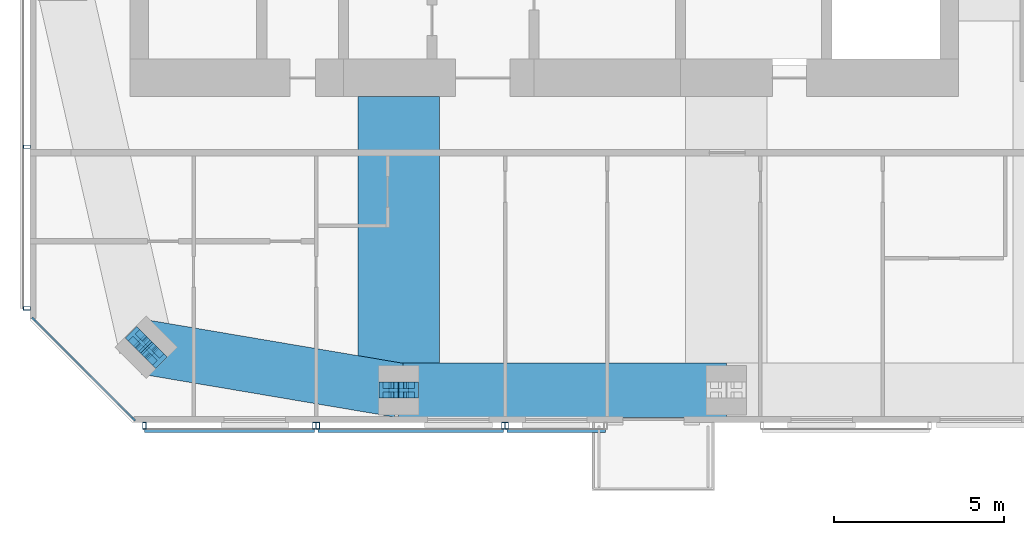
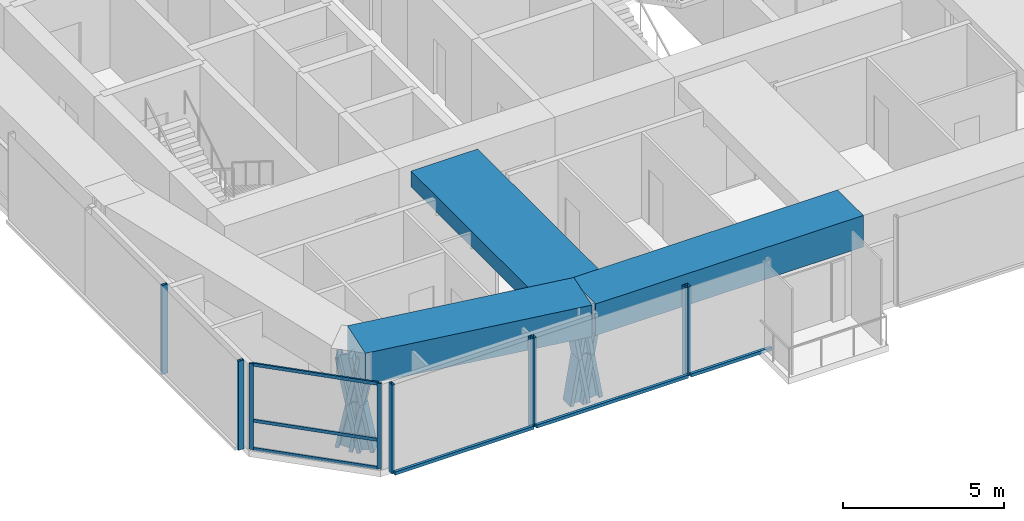
# One storey, part 2 of 18: 23 members, 3 beams, 5 elements without a shape of their own.
"""IFC4 building model written with IfcOpenShell, lengths in metres."""

from ifc_helpers import new_model, si_unit, direction, frame, origin, origin_2d, place, context, subcontext, project, spatial, rectangle, hollow_rectangle, i_section, extrude, material, material_profile, profile_set, type_object, element, aggregate, save


model = new_model("IFC4")

# Units and contexts
model_context = context("Model", 3, precision=1e-05, world=origin(), true_north=direction((0.0, 1.0)))
body_context = subcontext(model_context, "Body", "Model", "MODEL_VIEW")
ifc_project = project(units=[si_unit("LENGTHUNIT", "METRE"), si_unit("AREAUNIT", "SQUARE_METRE"), si_unit("VOLUMEUNIT", "CUBIC_METRE"), si_unit("PLANEANGLEUNIT", "RADIAN"), si_unit("MASSUNIT", "GRAM", prefix="KILO")], contexts=[model_context])

# Site, building, storey
site_placement = place(None, origin())
site = spatial("IfcSite", under=ifc_project, at=site_placement, CompositionType="ELEMENT")
building_placement = place(site_placement, origin())
building = spatial("IfcBuilding", under=site, at=building_placement, Name="Jalousie Tower", CompositionType="ELEMENT")
storey_placement = place(building_placement, frame((0.0, 0.0, 249.449951171875)))
storey = spatial("IfcBuildingStorey", under=building, at=storey_placement, Name="L68", CompositionType="ELEMENT", Elevation=249.449951171875)

# Curtain wall, members
ifc_material_1 = material(Name="Aluminium curtain wall", Category="aluminium")
curtain_wall_type_1 = type_object("IfcCurtainWallType", Name="CORNER WINDOW WALL", PredefinedType="USERDEFINED", material=ifc_material_1)
curtain_wall_1_placement = place(storey_placement, origin())
curtain_wall_1 = element("IfcCurtainWall", 1, at=curtain_wall_1_placement, inside=storey, type_object=curtain_wall_type_1, Name="Corner Window Wall L68 8", ObjectType="CORNER WINDOW WALL", PredefinedType="USERDEFINED")
ifc_material_2 = material(Name="Aluminium mullion", Category="aluminium")
ifc_material_profile_1 = material_profile(ifc_material_2, rectangle(XDim=0.06005859375, YDim=0.14990234375, at=origin_2d()), Name="MULLION 60x150")
ifc_profile_set_1 = profile_set([ifc_material_profile_1], Name="Aluminium mullion")
member_type_1 = type_object("IfcMemberType", Name="CORNER WINDOW WALL MULLION", PredefinedType="MULLION", material=ifc_profile_set_1)
member_1_placement = place(storey_placement, frame((16.90869140625, 3.030029296875, 0.0), z_axis=(0.0, 0.0, 1.0), x_axis=(0.707106781187, 0.707106781187, 0.0)))
member_1 = element("IfcMember", 2, at=member_1_placement, type_object=member_type_1, Name="CW-C mullion 1", PredefinedType="MULLION", context=body_context, shape_type="SweptSolid", body=[
    extrude(rectangle(XDim=0.06005859375, YDim=0.14990234375, at=origin_2d()), origin(), (0.0, 0.0, 1.0), 3.260009765625),
])
member_2_placement = place(storey_placement, frame((19.830078125, 0.108642578125, 0.0), z_axis=(0.0, 0.0, 1.0), x_axis=(0.707106781187, 0.707106781187, 0.0)))
member_2 = element("IfcMember", 3, at=member_2_placement, type_object=member_type_1, Name="CW-C mullion 2", PredefinedType="MULLION", context=body_context, shape_type="SweptSolid", body=[
    extrude(rectangle(XDim=0.06005859375, YDim=0.14990234375, at=origin_2d()), origin(), (0.0, 0.0, 1.0), 3.260009765625),
])
ifc_material_3 = material(Name="Aluminium transom", Category="aluminium")
ifc_material_profile_2 = material_profile(ifc_material_3, rectangle(XDim=0.06005859375, YDim=0.1201171875, at=origin_2d()), Name="TRANSOM 60x120")
ifc_profile_set_2 = profile_set([ifc_material_profile_2], Name="Aluminium transom")
member_type_2 = type_object("IfcMemberType", Name="CORNER WINDOW WALL TRANSOM", PredefinedType="USERDEFINED", material=ifc_profile_set_2)
member_3_placement = place(storey_placement, frame((16.929931640625, 3.0087890625, 0.030029296875), z_axis=(0.707106781187, -0.707106781187, 0.0), x_axis=(0.707106781187, 0.707106781187, 0.0)))
member_3 = element("IfcMember", 4, at=member_3_placement, type_object=member_type_2, Name="CW-C transom 1.1", ObjectType="TRANSOM", PredefinedType="USERDEFINED", context=body_context, shape_type="SweptSolid", body=[
    extrude(rectangle(XDim=0.06005859375, YDim=0.1201171875, at=origin_2d()), origin(), (0.0, 0.0, 1.0), 4.0712890625),
])
member_4_placement = place(storey_placement, frame((16.929931640625, 3.0087890625, 1.10009765625), z_axis=(0.707106781187, -0.707106781187, 0.0), x_axis=(0.707106781187, 0.707106781187, 0.0)))
member_4 = element("IfcMember", 5, at=member_4_placement, type_object=member_type_2, Name="CW-C transom 1.2", ObjectType="TRANSOM", PredefinedType="USERDEFINED", context=body_context, shape_type="SweptSolid", body=[
    extrude(rectangle(XDim=0.06005859375, YDim=0.1201171875, at=origin_2d()), origin(), (0.0, 0.0, 1.0), 4.0712890625),
])
member_5_placement = place(storey_placement, frame((16.929931640625, 3.0087890625, 3.22998046875), z_axis=(0.707106781187, -0.707106781187, 0.0), x_axis=(0.707106781187, 0.707106781187, 0.0)))
member_5 = element("IfcMember", 6, at=member_5_placement, type_object=member_type_2, Name="CW-C transom 1.3", ObjectType="TRANSOM", PredefinedType="USERDEFINED", context=body_context, shape_type="SweptSolid", body=[
    extrude(rectangle(XDim=0.06005859375, YDim=0.1201171875, at=origin_2d()), origin(), (0.0, 0.0, 1.0), 4.0712890625),
])
aggregate(curtain_wall_1, [member_1, member_2, member_3, member_4, member_5])

# Members
ifc_material_4 = material(Name="Steel ASTM A992 Grade 50", Category="steel")
ifc_material_profile_3 = material_profile(ifc_material_4, i_section(OverallWidth=0.472412109375, OverallDepth=0.5791015625, WebThickness=0.094970703125, FlangeThickness=0.1298828125, at=origin_2d()), Name="W14X808")
ifc_profile_set_3 = profile_set([ifc_material_profile_3], Name="Steel ASTM A992 Grade 50")
member_type_3 = type_object("IfcMemberType", Name="PERIMETER BRACE W14X808", PredefinedType="BRACE", material=ifc_profile_set_3)
for number, where, z_axis, x_axis, name in (
    (7, (19.959716796875, 2.45458984375, -0.599853515625), (0.138579250682, -0.138716051522, 0.980588419435), (0.707455539091, 0.706757851183, 0.0), "Perimeter brace 01 L68 part 1"),
    (8, (20.20703125, 2.20703125, 1.150146484375), (0.138716051522, -0.138579250682, 0.980588419435), (0.706757851183, 0.707455539091, 0.0), "Perimeter brace 01 L68 part 2"),
    (9, (20.45458984375, 1.959716796875, -0.599853515625), (-0.138716051522, 0.138579250682, 0.980588419435), (-0.706757851183, -0.707455539091, 0.0), "Perimeter brace 01 L68 part 3"),
    (10, (20.20703125, 2.20703125, 1.150146484375), (-0.138579250682, 0.138716051522, 0.980588419435), (-0.707455539091, -0.706757851183, 0.0), "Perimeter brace 01 L68 part 4"),
):
    element("IfcMember", number, at=place(storey_placement, frame(where, z_axis=z_axis, x_axis=x_axis)), inside=storey, type_object=member_type_3, Name=name, PredefinedType="BRACE", context=body_context, shape_type="SweptSolid", body=[
        extrude(i_section(OverallWidth=0.472412109375, OverallDepth=0.5791015625, WebThickness=0.094970703125, FlangeThickness=0.1298828125, at=origin_2d()), origin(), (0.0, 0.0, 1.0), 1.78466796875),
    ])
for number, where, z_axis, x_axis, name in (
    (11, (27.324951171875, 0.949951171875, -0.599853515625), (0.168990530437, 0.0, 0.98561767467), (0.0, 1.0, 0.0), "Perimeter brace 02 L68 part 1"),
    (12, (27.625, 0.949951171875, 1.150146484375), (0.168990530437, 0.0, 0.98561767467), (0.0, 1.0, 0.0), "Perimeter brace 02 L68 part 2"),
    (13, (27.925048828125, 0.949951171875, -0.599853515625), (-0.168990530437, 0.0, 0.98561767467), (0.0, -1.0, 0.0), "Perimeter brace 02 L68 part 3"),
    (14, (27.625, 0.949951171875, 1.150146484375), (-0.168990530437, 0.0, 0.98561767467), (0.0, -1.0, 0.0), "Perimeter brace 02 L68 part 4"),
):
    element("IfcMember", number, at=place(storey_placement, frame(where, z_axis=z_axis, x_axis=x_axis)), inside=storey, type_object=member_type_3, Name=name, PredefinedType="BRACE", context=body_context, shape_type="SweptSolid", body=[
        extrude(i_section(OverallWidth=0.472412109375, OverallDepth=0.5791015625, WebThickness=0.094970703125, FlangeThickness=0.1298828125, at=origin_2d()), origin(), (0.0, 0.0, 1.0), 1.775634765625),
    ])

# Beams
ifc_material_5 = material(Name="Concrete f'c 40 MPa", Category="concrete")
ifc_material_profile_4 = material_profile(ifc_material_5, rectangle(XDim=1.60009765625, YDim=1.199951171875, at=origin_2d()), Name="RC 1600x1200")
ifc_profile_set_4 = profile_set([ifc_material_profile_4], Name="Concrete f'c 40 MPa")
beam_type_1 = type_object("IfcBeamType", Name="RC BEAM 1600x1200", PredefinedType="BEAM", material=ifc_profile_set_4)
beam_1_placement = place(storey_placement, frame((20.20703125, 2.20703125, 2.900146484375), z_axis=(0.985942997446, -0.167082033105, 0.0), x_axis=(0.167082033105, 0.985942997446, 0.0)))
element("IfcBeam", 15, at=beam_1_placement, inside=storey, type_object=beam_type_1, Name="Edge band beam 01-02 under L69", PredefinedType="BEAM", context=body_context, shape_type="SweptSolid", body=[
    extrude(rectangle(XDim=1.60009765625, YDim=1.199951171875, at=origin_2d()), origin(), (0.0, 0.0, 1.0), 7.523681640625),
])
beam_2_placement = place(storey_placement, frame((27.625, 0.949951171875, 2.900146484375), z_axis=(1.0, 0.0, 0.0), x_axis=(0.0, 1.0, 0.0)))
element("IfcBeam", 16, at=beam_2_placement, inside=storey, type_object=beam_type_1, Name="Edge band beam 02-03 under L69", PredefinedType="BEAM", context=body_context, shape_type="SweptSolid", body=[
    extrude(rectangle(XDim=1.60009765625, YDim=1.199951171875, at=origin_2d()), origin(), (0.0, 0.0, 1.0), 9.625),
])
ifc_material_6 = material(Name="Concrete f'c 40 MPa", Category="concrete")
ifc_material_profile_5 = material_profile(ifc_material_6, rectangle(XDim=2.39990234375, YDim=0.60009765625, at=origin_2d()), Name="RC 2400x600")
ifc_profile_set_5 = profile_set([ifc_material_profile_5], Name="Concrete f'c 40 MPa")
beam_type_2 = type_object("IfcBeamType", Name="RC BEAM 2400x600", PredefinedType="BEAM", material=ifc_profile_set_5)
beam_3_placement = place(storey_placement, frame((27.625, 0.949951171875, 2.9599609375), z_axis=(0.0, 1.0, 0.0), x_axis=(-1.0, 0.0, 0.0)))
element("IfcBeam", 17, at=beam_3_placement, inside=storey, type_object=beam_type_2, Name="Floor band beam under L69", PredefinedType="BEAM", context=body_context, shape_type="SweptSolid", body=[
    extrude(rectangle(XDim=2.39990234375, YDim=0.60009765625, at=origin_2d()), origin(), (0.0, 0.0, 1.0), 8.625),
])

# Curtain wall, members
ifc_material_7 = material(Name="Perforated aluminium sheet", Category="aluminium")
curtain_wall_type_2 = type_object("IfcCurtainWallType", Name="SOLAR SCREEN SS-2", PredefinedType="USERDEFINED", material=ifc_material_7)
curtain_wall_2_placement = place(storey_placement, origin())
curtain_wall_2 = element("IfcCurtainWall", 18, at=curtain_wall_2_placement, inside=storey, type_object=curtain_wall_type_2, Name="Solar screen L68", ObjectType="SOLAR SCREEN SS-2", PredefinedType="USERDEFINED")
ifc_material_8 = material(Name="Steel ASTM A500 Grade C", Category="steel")
ifc_material_profile_6 = material_profile(ifc_material_8, hollow_rectangle(XDim=0.1015625, YDim=0.203125, WallThickness=0.0078125, at=origin_2d()), Name="HSS8X4X5/16")
ifc_profile_set_6 = profile_set([ifc_material_profile_6], Name="Steel ASTM A500 Grade C")
member_type_4 = type_object("IfcMemberType", Name="SOLAR SCREEN SS-2 MULLION", PredefinedType="MULLION", material=ifc_profile_set_6)
member_6_placement = place(storey_placement, frame((20.1513671875, -0.0966796875, -0.119873046875), z_axis=(0.0, 0.0, 1.0), x_axis=(1.0, 0.0, 0.0)))
member_6 = element("IfcMember", 19, at=member_6_placement, type_object=member_type_4, Name="SS2 post 1", PredefinedType="MULLION", context=body_context, shape_type="SweptSolid", body=[
    extrude(hollow_rectangle(XDim=0.1015625, YDim=0.203125, WallThickness=0.0078125, at=origin_2d()), origin(), (0.0, 0.0, 1.0), 3.3798828125),
])
member_7_placement = place(storey_placement, frame((25.14990234375, -0.0966796875, -0.119873046875), z_axis=(0.0, 0.0, 1.0), x_axis=(1.0, 0.0, 0.0)))
member_7 = element("IfcMember", 20, at=member_7_placement, type_object=member_type_4, Name="SS2 post 2", PredefinedType="MULLION", context=body_context, shape_type="SweptSolid", body=[
    extrude(hollow_rectangle(XDim=0.1015625, YDim=0.203125, WallThickness=0.0078125, at=origin_2d()), origin(), (0.0, 0.0, 1.0), 3.3798828125),
])

curtain_wall_3_placement = place(storey_placement, origin())
curtain_wall_3 = element("IfcCurtainWall", 21, at=curtain_wall_3_placement, inside=storey, type_object=curtain_wall_type_2, Name="Solar screen L68", ObjectType="SOLAR SCREEN SS-2", PredefinedType="USERDEFINED")
member_8_placement = place(storey_placement, frame((25.25, -0.0966796875, -0.119873046875), z_axis=(0.0, 0.0, 1.0), x_axis=(1.0, 0.0, 0.0)))
member_8 = element("IfcMember", 22, at=member_8_placement, type_object=member_type_4, Name="SS2 post 1", PredefinedType="MULLION", context=body_context, shape_type="SweptSolid", body=[
    extrude(hollow_rectangle(XDim=0.1015625, YDim=0.203125, WallThickness=0.0078125, at=origin_2d()), origin(), (0.0, 0.0, 1.0), 3.3798828125),
])
member_9_placement = place(storey_placement, frame((30.699951171875, -0.0966796875, -0.119873046875), z_axis=(0.0, 0.0, 1.0), x_axis=(1.0, 0.0, 0.0)))
member_9 = element("IfcMember", 23, at=member_9_placement, type_object=member_type_4, Name="SS2 post 2", PredefinedType="MULLION", context=body_context, shape_type="SweptSolid", body=[
    extrude(hollow_rectangle(XDim=0.1015625, YDim=0.203125, WallThickness=0.0078125, at=origin_2d()), origin(), (0.0, 0.0, 1.0), 3.3798828125),
])

# Curtain wall, member
curtain_wall_4_placement = place(storey_placement, origin())
curtain_wall_4 = element("IfcCurtainWall", 24, at=curtain_wall_4_placement, inside=storey, type_object=curtain_wall_type_2, Name="Solar screen L68", ObjectType="SOLAR SCREEN SS-2", PredefinedType="USERDEFINED")
member_10_placement = place(storey_placement, frame((30.800048828125, -0.0966796875, -0.119873046875), z_axis=(0.0, 0.0, 1.0), x_axis=(1.0, 0.0, 0.0)))
member_10 = element("IfcMember", 25, at=member_10_placement, type_object=member_type_4, Name="SS2 post 1", PredefinedType="MULLION", context=body_context, shape_type="SweptSolid", body=[
    extrude(hollow_rectangle(XDim=0.1015625, YDim=0.203125, WallThickness=0.0078125, at=origin_2d()), origin(), (0.0, 0.0, 1.0), 3.3798828125),
])

# Curtain wall, members
curtain_wall_5_placement = place(storey_placement, origin())
curtain_wall_5 = element("IfcCurtainWall", 26, at=curtain_wall_5_placement, inside=storey, type_object=curtain_wall_type_2, Name="Solar screen L68", ObjectType="SOLAR SCREEN SS-2", PredefinedType="USERDEFINED")
member_11_placement = place(storey_placement, frame((16.703369140625, 8.100830078125, -0.119873046875), z_axis=(0.0, 0.0, 1.0), x_axis=(0.0, -1.0, 0.0)))
member_11 = element("IfcMember", 27, at=member_11_placement, type_object=member_type_4, Name="SS2 post 3", PredefinedType="MULLION", context=body_context, shape_type="SweptSolid", body=[
    extrude(hollow_rectangle(XDim=0.1015625, YDim=0.203125, WallThickness=0.0078125, at=origin_2d()), origin(), (0.0, 0.0, 1.0), 3.3798828125),
])
member_12_placement = place(storey_placement, frame((16.703369140625, 3.351318359375, -0.119873046875), z_axis=(0.0, 0.0, 1.0), x_axis=(0.0, -1.0, 0.0)))
member_12 = element("IfcMember", 28, at=member_12_placement, type_object=member_type_4, Name="SS2 post 4", PredefinedType="MULLION", context=body_context, shape_type="SweptSolid", body=[
    extrude(hollow_rectangle(XDim=0.1015625, YDim=0.203125, WallThickness=0.0078125, at=origin_2d()), origin(), (0.0, 0.0, 1.0), 3.3798828125),
])
aggregate(curtain_wall_5, [member_11, member_12])

# Member
ifc_material_9 = material(Name="Extruded aluminium screen rail", Category="aluminium")
ifc_material_profile_7 = material_profile(ifc_material_9, rectangle(XDim=0.1015625, YDim=0.1201171875, at=origin_2d()), Name="RAIL 102x120")
ifc_profile_set_7 = profile_set([ifc_material_profile_7], Name="Extruded aluminium screen rail")
member_type_5 = type_object("IfcMemberType", Name="SOLAR SCREEN SS-2 TRANSOM", PredefinedType="USERDEFINED", material=ifc_profile_set_7)
member_13_placement = place(storey_placement, frame((20.1513671875, -0.2490234375, -0.06005859375), z_axis=(1.0, 0.0, 0.0), x_axis=(0.0, 1.0, 0.0)))
member_13 = element("IfcMember", 29, at=member_13_placement, type_object=member_type_5, Name="SS2 rail", ObjectType="TRANSOM", PredefinedType="USERDEFINED", context=body_context, shape_type="SweptSolid", body=[
    extrude(rectangle(XDim=0.1015625, YDim=0.1201171875, at=origin_2d()), origin(), (0.0, 0.0, 1.0), 4.99853515625),
])

aggregate(curtain_wall_2, [member_6, member_7, member_13])

member_14_placement = place(storey_placement, frame((25.25, -0.2490234375, -0.06005859375), z_axis=(1.0, 0.0, 0.0), x_axis=(0.0, 1.0, 0.0)))
member_14 = element("IfcMember", 30, at=member_14_placement, type_object=member_type_5, Name="SS2 rail", ObjectType="TRANSOM", PredefinedType="USERDEFINED", context=body_context, shape_type="SweptSolid", body=[
    extrude(rectangle(XDim=0.1015625, YDim=0.1201171875, at=origin_2d()), origin(), (0.0, 0.0, 1.0), 5.449951171875),
])

aggregate(curtain_wall_3, [member_8, member_9, member_14])

member_15_placement = place(storey_placement, frame((30.800048828125, -0.2490234375, -0.06005859375), z_axis=(1.0, 0.0, 0.0), x_axis=(0.0, 1.0, 0.0)))
member_15 = element("IfcMember", 31, at=member_15_placement, type_object=member_type_5, Name="SS2 rail", ObjectType="TRANSOM", PredefinedType="USERDEFINED", context=body_context, shape_type="SweptSolid", body=[
    extrude(rectangle(XDim=0.1015625, YDim=0.1201171875, at=origin_2d()), origin(), (0.0, 0.0, 1.0), 2.89990234375),
])

aggregate(curtain_wall_4, [member_10, member_15])

save(model, "model.ifc")
